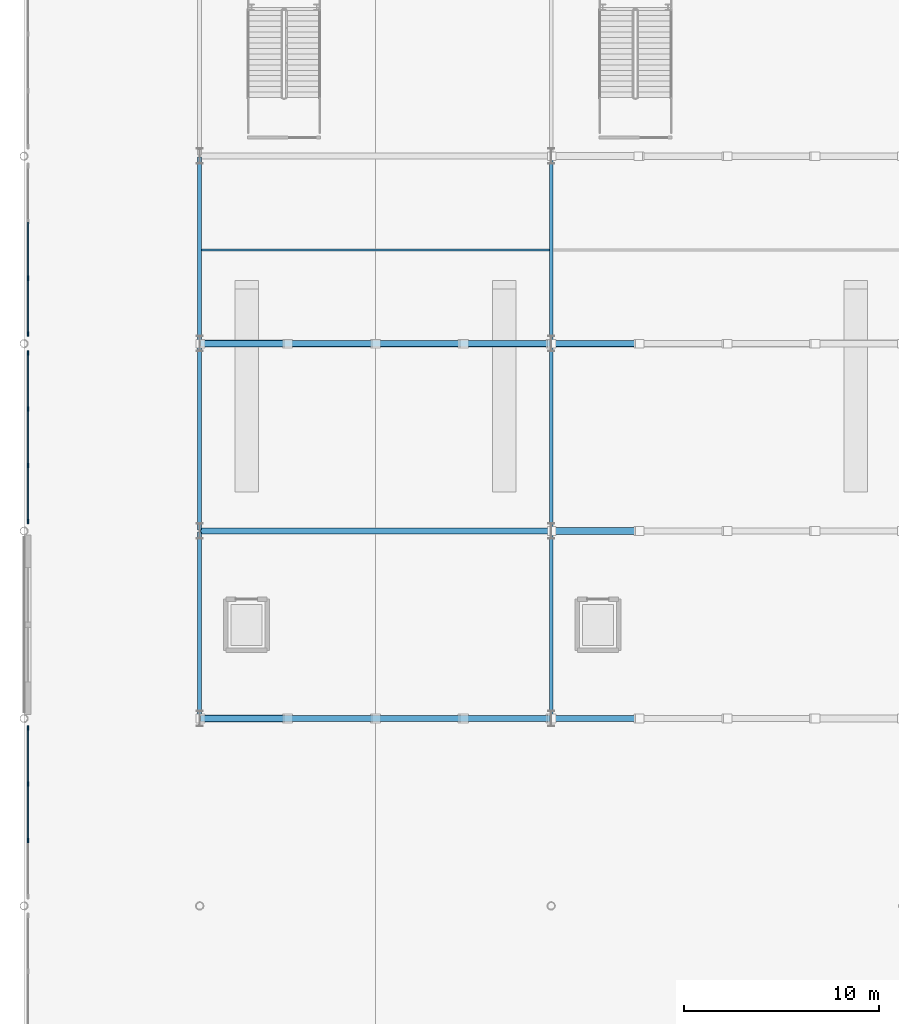
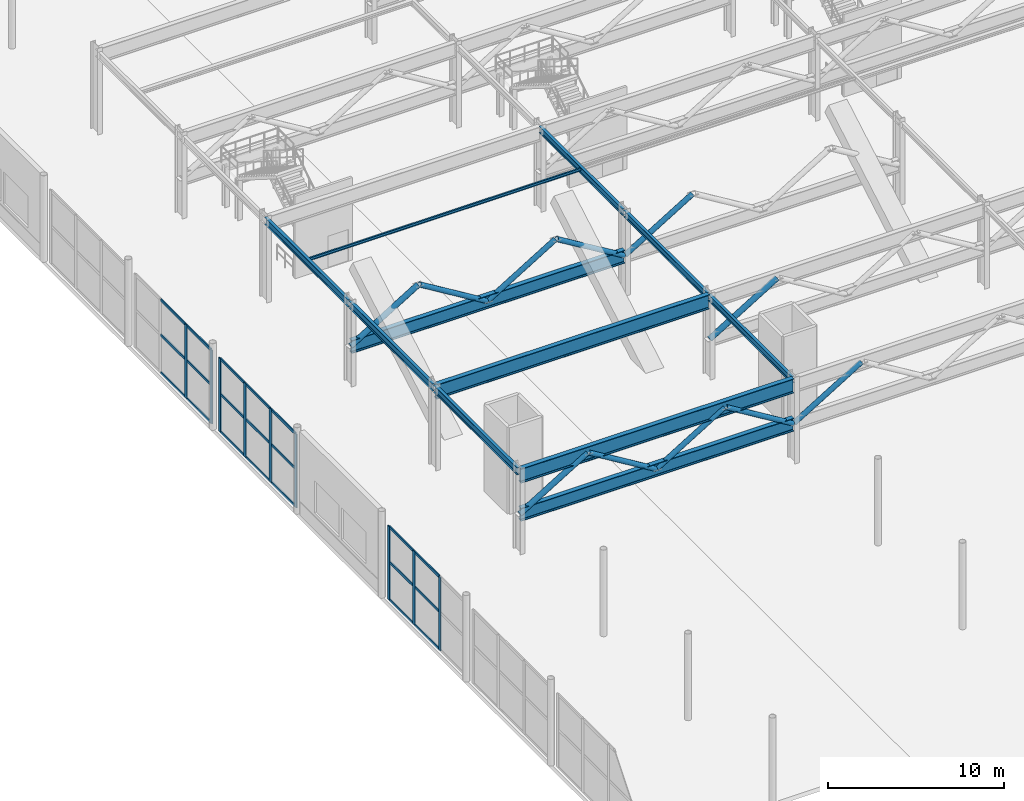
# One storey, part 28 of 113: 43 members, 9 beams, 3 elements without a shape of their own.
"""IFC4 building model written with IfcOpenShell, lengths in metres."""

from ifc_helpers import new_model, si_unit, direction, frame, origin, origin_2d, place, context, subcontext, project, spatial, rectangle, hollow_circle, i_section, extrude, material, layer, layer_set, material_profile, profile_set, type_object, element, aggregate, save


model = new_model("IFC4")

# Units and contexts
model_context = context("Model", 3, precision=1e-05, world=origin(), true_north=direction((0.0, 1.0)))
body_context = subcontext(model_context, "Body", "Model", "MODEL_VIEW")
ifc_project = project(units=[si_unit("LENGTHUNIT", "METRE"), si_unit("AREAUNIT", "SQUARE_METRE"), si_unit("VOLUMEUNIT", "CUBIC_METRE"), si_unit("PLANEANGLEUNIT", "RADIAN"), si_unit("MASSUNIT", "GRAM", prefix="KILO")], contexts=[model_context])

# Site, building, storey
site_placement = place(None, origin())
site = spatial("IfcSite", under=ifc_project, at=site_placement, CompositionType="ELEMENT")
building_placement = place(site_placement, origin())
building = spatial("IfcBuilding", under=site, at=building_placement, Name="Myrtia Square Station", CompositionType="ELEMENT")
storey_placement = place(building_placement, origin())
storey = spatial("IfcBuildingStorey", under=building, at=storey_placement, Name="L00", CompositionType="ELEMENT", Elevation=0.0)

# Beams
ifc_material_1 = material(Name="Steel S355", Category="steel")
ifc_material_profile_1 = material_profile(ifc_material_1, i_section(OverallWidth=0.18994140625, OverallDepth=0.449951171875, WebThickness=0.009521484375, FlangeThickness=0.0146484375, FilletRadius=0.02099609375, at=origin_2d()), Name="IPE 450")
ifc_profile_set_1 = profile_set([ifc_material_profile_1], Name="Steel S355")
beam_type_1 = type_object("IfcBeamType", Name="BM-IPE450", PredefinedType="BEAM", material=ifc_profile_set_1)
for number, where, z_axis, x_axis, name in (
    (1, (27.0, 38.449951171875, 5.514892578125), (0.0, 1.0, 0.0), (-1.0, 0.0, 0.0), "Structural girder BMY-L00-0262"),
    (2, (27.0, 48.050048828125, 5.514892578125), (0.0, 1.0, 0.0), (-1.0, 0.0, 0.0), "Structural girder BMY-L00-0263"),
    (3, (27.0, 57.64990234375, 5.514892578125), (0.0, 1.0, 0.0), (-1.0, 0.0, 0.0), "Structural girder BMY-L00-0264"),
):
    element("IfcBeam", number, at=place(storey_placement, frame(where, z_axis=z_axis, x_axis=x_axis)), inside=storey, type_object=beam_type_1, Name=name, PredefinedType="BEAM", context=body_context, shape_type="SweptSolid", body=[
        extrude(i_section(OverallWidth=0.18994140625, OverallDepth=0.449951171875, WebThickness=0.009521484375, FlangeThickness=0.0146484375, FilletRadius=0.02099609375, at=origin_2d()), origin(), (0.0, 0.0, 1.0), 9.5),
    ])
ifc_material_profile_2 = material_profile(ifc_material_1, i_section(OverallWidth=0.199951171875, OverallDepth=0.5, WebThickness=0.01025390625, FlangeThickness=0.01611328125, FilletRadius=0.02099609375, at=origin_2d()), Name="IPE 500")
ifc_profile_set_2 = profile_set([ifc_material_profile_2], Name="Steel S355")
beam_type_2 = type_object("IfcBeamType", Name="BM-IPE500", PredefinedType="BEAM", material=ifc_profile_set_2)
for number, where, z_axis, x_axis, name in (
    (4, (9.0, 38.449951171875, 5.489990234375), (0.0, 1.0, 0.0), (-1.0, 0.0, 0.0), "Structural girder BMY-L00-0257"),
    (5, (9.0, 48.050048828125, 5.489990234375), (0.0, 1.0, 0.0), (-1.0, 0.0, 0.0), "Structural girder BMY-L00-0258"),
    (6, (9.0, 57.64990234375, 5.489990234375), (0.0, 1.0, 0.0), (-1.0, 0.0, 0.0), "Structural girder BMY-L00-0259"),
):
    element("IfcBeam", number, at=place(storey_placement, frame(where, z_axis=z_axis, x_axis=x_axis)), inside=storey, type_object=beam_type_2, Name=name, PredefinedType="BEAM", context=body_context, shape_type="SweptSolid", body=[
        extrude(i_section(OverallWidth=0.199951171875, OverallDepth=0.5, WebThickness=0.01025390625, FlangeThickness=0.01611328125, FilletRadius=0.02099609375, at=origin_2d()), origin(), (0.0, 0.0, 1.0), 9.5),
    ])

# Members
ifc_material_profile_3 = material_profile(ifc_material_1, hollow_circle(Radius=0.161865234375, WallThickness=0.01611328125, at=origin_2d()), Name="CHS 323.9x16")
ifc_profile_set_3 = profile_set([ifc_material_profile_3], Name="Steel S355")
member_type_1 = type_object("IfcMemberType", Name="BRC-CHS323", PredefinedType="BRACE", material=ifc_profile_set_3)
for number, where, z_axis, x_axis, name in (
    (7, (13.5400390625, 38.39990234375, 5.239990234375), (0.854236821944, 0.0, -0.519884075573), (0.0, 1.0, 0.0), "Over-track transfer truss 01 diagonal 2"),
    (8, (18.0400390625, 38.39990234375, 2.550048828125), (0.854236821944, 0.0, 0.519884075573), (0.0, 1.0, 0.0), "Over-track transfer truss 01 diagonal 3"),
    (9, (22.5400390625, 38.39990234375, 5.239990234375), (0.854236821944, 0.0, -0.519884075573), (0.0, 1.0, 0.0), "Over-track transfer truss 01 diagonal 4"),
    (10, (27.0400390625, 38.39990234375, 2.550048828125), (0.854236821944, 0.0, 0.519884075573), (0.0, 1.0, 0.0), "Over-track transfer truss 01 diagonal 5"),
    (11, (13.5400390625, 57.60009765625, 5.239990234375), (0.854236821944, 0.0, -0.519884075573), (0.0, 1.0, 0.0), "Over-track transfer truss 03 diagonal 2"),
    (12, (18.0400390625, 57.60009765625, 2.550048828125), (0.854236821944, 0.0, 0.519884075573), (0.0, 1.0, 0.0), "Over-track transfer truss 03 diagonal 3"),
    (13, (22.5400390625, 57.60009765625, 5.239990234375), (0.854236821944, 0.0, -0.519884075573), (0.0, 1.0, 0.0), "Over-track transfer truss 03 diagonal 4"),
    (14, (27.0400390625, 57.60009765625, 2.550048828125), (0.854236821944, 0.0, 0.519884075573), (0.0, 1.0, 0.0), "Over-track transfer truss 03 diagonal 5"),
):
    element("IfcMember", number, at=place(storey_placement, frame(where, z_axis=z_axis, x_axis=x_axis)), inside=storey, type_object=member_type_1, Name=name, PredefinedType="BRACE", context=body_context, shape_type="SweptSolid", body=[
        extrude(hollow_circle(Radius=0.161865234375, WallThickness=0.01611328125, at=origin_2d()), origin(), (0.0, 0.0, 1.0), 5.174072265625),
    ])
ifc_material_profile_4 = material_profile(ifc_material_1, hollow_circle(Radius=0.177734375, WallThickness=0.02001953125, at=origin_2d()), Name="CHS 355.6x20")
ifc_profile_set_4 = profile_set([ifc_material_profile_4], Name="Steel S355")
member_type_2 = type_object("IfcMemberType", Name="BRC-CHS355", PredefinedType="BRACE", material=ifc_profile_set_4)
for number, where, z_axis, x_axis, name in (
    (15, (9.0400390625, 38.39990234375, 2.550048828125), (0.854236821944, 0.0, 0.519884075573), (0.0, 1.0, 0.0), "Over-track transfer truss 01 diagonal 1"),
    (16, (27.0400390625, 48.0, 2.550048828125), (0.854236821944, 0.0, 0.519884075573), (0.0, 1.0, 0.0), "Over-track transfer truss 02 diagonal 1"),
    (17, (9.0400390625, 57.60009765625, 2.550048828125), (0.854236821944, 0.0, 0.519884075573), (0.0, 1.0, 0.0), "Over-track transfer truss 03 diagonal 1"),
):
    element("IfcMember", number, at=place(storey_placement, frame(where, z_axis=z_axis, x_axis=x_axis)), inside=storey, type_object=member_type_2, Name=name, PredefinedType="BRACE", context=body_context, shape_type="SweptSolid", body=[
        extrude(hollow_circle(Radius=0.177734375, WallThickness=0.02001953125, at=origin_2d()), origin(), (0.0, 0.0, 1.0), 5.174072265625),
    ])
ifc_material_profile_5 = material_profile(ifc_material_1, i_section(OverallWidth=0.300048828125, OverallDepth=0.89990234375, WebThickness=0.0185546875, FlangeThickness=0.034912109375, FilletRadius=0.030029296875, at=origin_2d()), Name="HEB 900")
ifc_profile_set_5 = profile_set([ifc_material_profile_5], Name="Steel S355")
member_type_3 = type_object("IfcMemberType", Name="CHD-HEB900", PredefinedType="CHORD", material=ifc_profile_set_5)
for number, where, z_axis, x_axis, name in (
    (18, (9.050048828125, 38.39990234375, 2.550048828125), (1.0, 0.0, 0.0), (0.0, 1.0, 0.0), "Over-track transfer truss 01 bottom chord 1"),
    (19, (9.050048828125, 57.60009765625, 2.550048828125), (1.0, 0.0, 0.0), (0.0, 1.0, 0.0), "Over-track transfer truss 03 bottom chord 1"),
):
    element("IfcMember", number, at=place(storey_placement, frame(where, z_axis=z_axis, x_axis=x_axis)), inside=storey, type_object=member_type_3, Name=name, PredefinedType="CHORD", context=body_context, shape_type="SweptSolid", body=[
        extrude(i_section(OverallWidth=0.300048828125, OverallDepth=0.89990234375, WebThickness=0.0185546875, FlangeThickness=0.034912109375, FilletRadius=0.030029296875, at=origin_2d()), origin(), (0.0, 0.0, 1.0), 17.89990234375),
    ])

# Curtain wall, members
ifc_material_2 = material(Name="Dark bronze anodised aluminium", Category="aluminium")
ifc_layer = layer(ifc_material_2, 0.159912109375, Name="Dark bronze anodised aluminium")
ifc_layer_set = layer_set([ifc_layer], Name="Dark bronze anodised aluminium")
curtain_wall_type = type_object("IfcCurtainWallType", Name="CW-TYPE-22-870x510", PredefinedType="USERDEFINED", material=ifc_layer_set)
curtain_wall_1_placement = place(storey_placement, origin())
curtain_wall_1 = element("IfcCurtainWall", 20, at=curtain_wall_1_placement, inside=storey, type_object=curtain_wall_type, Name="Concourse curtain wall CW-L00-075", ObjectType="CONCOURSE CURTAIN WALL", PredefinedType="USERDEFINED")
ifc_material_profile_6 = material_profile(ifc_material_2, rectangle(XDim=0.074951171875, YDim=0.239990234375, at=origin_2d()), Name="ALU-M 75x240")
ifc_profile_set_6 = profile_set([ifc_material_profile_6], Name="Dark bronze anodised aluminium")
member_type_4 = type_object("IfcMemberType", Name="CWM-75x240", PredefinedType="MULLION", material=ifc_profile_set_6)
member_1_placement = place(storey_placement, frame((0.199951171875, 32.14990234375, 0.0), z_axis=(0.0, 0.0, 1.0), x_axis=(-1.0, 0.0, 0.0)))
member_1 = element("IfcMember", 21, at=member_1_placement, type_object=member_type_4, Name="CW-075 mullion 2", PredefinedType="MULLION", context=body_context, shape_type="SweptSolid", body=[
    extrude(rectangle(XDim=0.074951171875, YDim=0.239990234375, at=origin_2d()), origin(), (0.0, 0.0, 1.0), 5.10009765625),
])
member_2_placement = place(storey_placement, frame((0.199951171875, 35.050048828125, 0.0), z_axis=(0.0, 0.0, 1.0), x_axis=(-1.0, 0.0, 0.0)))
member_2 = element("IfcMember", 22, at=member_2_placement, type_object=member_type_4, Name="CW-075 mullion 3", PredefinedType="MULLION", context=body_context, shape_type="SweptSolid", body=[
    extrude(rectangle(XDim=0.074951171875, YDim=0.239990234375, at=origin_2d()), origin(), (0.0, 0.0, 1.0), 5.10009765625),
])
member_3_placement = place(storey_placement, frame((0.199951171875, 37.91259765625, 0.0), z_axis=(0.0, 0.0, 1.0), x_axis=(-1.0, 0.0, 0.0)))
member_3 = element("IfcMember", 23, at=member_3_placement, type_object=member_type_4, Name="CW-075 mullion 4", PredefinedType="MULLION", context=body_context, shape_type="SweptSolid", body=[
    extrude(rectangle(XDim=0.074951171875, YDim=0.239990234375, at=origin_2d()), origin(), (0.0, 0.0, 1.0), 5.10009765625),
])

curtain_wall_2_placement = place(storey_placement, origin())
curtain_wall_2 = element("IfcCurtainWall", 24, at=curtain_wall_2_placement, inside=storey, type_object=curtain_wall_type, Name="Concourse curtain wall CW-L00-076", ObjectType="CONCOURSE CURTAIN WALL", PredefinedType="USERDEFINED")
member_4_placement = place(storey_placement, frame((0.199951171875, 48.487548828125, 0.0), z_axis=(0.0, 0.0, 1.0), x_axis=(-1.0, 0.0, 0.0)))
member_4 = element("IfcMember", 25, at=member_4_placement, type_object=member_type_4, Name="CW-076 mullion 1", PredefinedType="MULLION", context=body_context, shape_type="SweptSolid", body=[
    extrude(rectangle(XDim=0.074951171875, YDim=0.239990234375, at=origin_2d()), origin(), (0.0, 0.0, 1.0), 5.10009765625),
])
member_5_placement = place(storey_placement, frame((0.199951171875, 51.35009765625, 0.0), z_axis=(0.0, 0.0, 1.0), x_axis=(-1.0, 0.0, 0.0)))
member_5 = element("IfcMember", 26, at=member_5_placement, type_object=member_type_4, Name="CW-076 mullion 2", PredefinedType="MULLION", context=body_context, shape_type="SweptSolid", body=[
    extrude(rectangle(XDim=0.074951171875, YDim=0.239990234375, at=origin_2d()), origin(), (0.0, 0.0, 1.0), 5.10009765625),
])
member_6_placement = place(storey_placement, frame((0.199951171875, 54.25, 0.0), z_axis=(0.0, 0.0, 1.0), x_axis=(-1.0, 0.0, 0.0)))
member_6 = element("IfcMember", 27, at=member_6_placement, type_object=member_type_4, Name="CW-076 mullion 3", PredefinedType="MULLION", context=body_context, shape_type="SweptSolid", body=[
    extrude(rectangle(XDim=0.074951171875, YDim=0.239990234375, at=origin_2d()), origin(), (0.0, 0.0, 1.0), 5.10009765625),
])
member_7_placement = place(storey_placement, frame((0.199951171875, 57.112548828125, 0.0), z_axis=(0.0, 0.0, 1.0), x_axis=(-1.0, 0.0, 0.0)))
member_7 = element("IfcMember", 28, at=member_7_placement, type_object=member_type_4, Name="CW-076 mullion 4", PredefinedType="MULLION", context=body_context, shape_type="SweptSolid", body=[
    extrude(rectangle(XDim=0.074951171875, YDim=0.239990234375, at=origin_2d()), origin(), (0.0, 0.0, 1.0), 5.10009765625),
])

curtain_wall_3_placement = place(storey_placement, origin())
curtain_wall_3 = element("IfcCurtainWall", 29, at=curtain_wall_3_placement, inside=storey, type_object=curtain_wall_type, Name="Concourse curtain wall CW-L00-077", ObjectType="CONCOURSE CURTAIN WALL", PredefinedType="USERDEFINED")
member_8_placement = place(storey_placement, frame((0.199951171875, 58.08740234375, 0.0), z_axis=(0.0, 0.0, 1.0), x_axis=(-1.0, 0.0, 0.0)))
member_8 = element("IfcMember", 30, at=member_8_placement, type_object=member_type_4, Name="CW-077 mullion 1", PredefinedType="MULLION", context=body_context, shape_type="SweptSolid", body=[
    extrude(rectangle(XDim=0.074951171875, YDim=0.239990234375, at=origin_2d()), origin(), (0.0, 0.0, 1.0), 5.10009765625),
])
member_9_placement = place(storey_placement, frame((0.199951171875, 60.949951171875, 0.0), z_axis=(0.0, 0.0, 1.0), x_axis=(-1.0, 0.0, 0.0)))
member_9 = element("IfcMember", 31, at=member_9_placement, type_object=member_type_4, Name="CW-077 mullion 2", PredefinedType="MULLION", context=body_context, shape_type="SweptSolid", body=[
    extrude(rectangle(XDim=0.074951171875, YDim=0.239990234375, at=origin_2d()), origin(), (0.0, 0.0, 1.0), 5.10009765625),
])

# Member
ifc_material_profile_7 = material_profile(ifc_material_2, rectangle(XDim=0.074951171875, YDim=0.179931640625, at=origin_2d()), Name="ALU-T 75x180")
ifc_profile_set_7 = profile_set([ifc_material_profile_7], Name="Dark bronze anodised aluminium")
member_type_5 = type_object("IfcMemberType", Name="CWT-75x180", PredefinedType="USERDEFINED", material=ifc_profile_set_7)
member_10_placement = place(storey_placement, frame((0.199951171875, 32.1875, 0.03759765625), z_axis=(0.0, 1.0, 0.0), x_axis=(-1.0, 0.0, 0.0)))
member_10 = element("IfcMember", 32, at=member_10_placement, type_object=member_type_5, Name="CW-075 transom 2.1", ObjectType="TRANSOM", PredefinedType="USERDEFINED", context=body_context, shape_type="SweptSolid", body=[
    extrude(rectangle(XDim=0.074951171875, YDim=0.179931640625, at=origin_2d()), origin(), (0.0, 0.0, 1.0), 2.824951171875),
])

member_11_placement = place(storey_placement, frame((0.199951171875, 32.1875, 2.652099609375), z_axis=(0.0, 1.0, 0.0), x_axis=(-1.0, 0.0, 0.0)))
member_11 = element("IfcMember", 33, at=member_11_placement, type_object=member_type_5, Name="CW-075 transom 2.2", ObjectType="TRANSOM", PredefinedType="USERDEFINED", context=body_context, shape_type="SweptSolid", body=[
    extrude(rectangle(XDim=0.074951171875, YDim=0.179931640625, at=origin_2d()), origin(), (0.0, 0.0, 1.0), 2.824951171875),
])

member_12_placement = place(storey_placement, frame((0.199951171875, 32.1875, 5.0625), z_axis=(0.0, 1.0, 0.0), x_axis=(-1.0, 0.0, 0.0)))
member_12 = element("IfcMember", 34, at=member_12_placement, type_object=member_type_5, Name="CW-075 transom 2.3", ObjectType="TRANSOM", PredefinedType="USERDEFINED", context=body_context, shape_type="SweptSolid", body=[
    extrude(rectangle(XDim=0.074951171875, YDim=0.179931640625, at=origin_2d()), origin(), (0.0, 0.0, 1.0), 2.824951171875),
])

member_13_placement = place(storey_placement, frame((0.199951171875, 35.08740234375, 0.03759765625), z_axis=(0.0, 1.0, 0.0), x_axis=(-1.0, 0.0, 0.0)))
member_13 = element("IfcMember", 35, at=member_13_placement, type_object=member_type_5, Name="CW-075 transom 3.1", ObjectType="TRANSOM", PredefinedType="USERDEFINED", context=body_context, shape_type="SweptSolid", body=[
    extrude(rectangle(XDim=0.074951171875, YDim=0.179931640625, at=origin_2d()), origin(), (0.0, 0.0, 1.0), 2.78759765625),
])

member_14_placement = place(storey_placement, frame((0.199951171875, 35.08740234375, 2.652099609375), z_axis=(0.0, 1.0, 0.0), x_axis=(-1.0, 0.0, 0.0)))
member_14 = element("IfcMember", 36, at=member_14_placement, type_object=member_type_5, Name="CW-075 transom 3.2", ObjectType="TRANSOM", PredefinedType="USERDEFINED", context=body_context, shape_type="SweptSolid", body=[
    extrude(rectangle(XDim=0.074951171875, YDim=0.179931640625, at=origin_2d()), origin(), (0.0, 0.0, 1.0), 2.78759765625),
])

member_15_placement = place(storey_placement, frame((0.199951171875, 35.08740234375, 5.0625), z_axis=(0.0, 1.0, 0.0), x_axis=(-1.0, 0.0, 0.0)))
member_15 = element("IfcMember", 37, at=member_15_placement, type_object=member_type_5, Name="CW-075 transom 3.3", ObjectType="TRANSOM", PredefinedType="USERDEFINED", context=body_context, shape_type="SweptSolid", body=[
    extrude(rectangle(XDim=0.074951171875, YDim=0.179931640625, at=origin_2d()), origin(), (0.0, 0.0, 1.0), 2.78759765625),
])

aggregate(curtain_wall_1, [member_1, member_2, member_3, member_10, member_11, member_12, member_13, member_14, member_15])

member_16_placement = place(storey_placement, frame((0.199951171875, 48.52490234375, 0.03759765625), z_axis=(0.0, 1.0, 0.0), x_axis=(-1.0, 0.0, 0.0)))
member_16 = element("IfcMember", 38, at=member_16_placement, type_object=member_type_5, Name="CW-076 transom 1.1", ObjectType="TRANSOM", PredefinedType="USERDEFINED", context=body_context, shape_type="SweptSolid", body=[
    extrude(rectangle(XDim=0.074951171875, YDim=0.179931640625, at=origin_2d()), origin(), (0.0, 0.0, 1.0), 2.78759765625),
])

member_17_placement = place(storey_placement, frame((0.199951171875, 48.52490234375, 2.652099609375), z_axis=(0.0, 1.0, 0.0), x_axis=(-1.0, 0.0, 0.0)))
member_17 = element("IfcMember", 39, at=member_17_placement, type_object=member_type_5, Name="CW-076 transom 1.2", ObjectType="TRANSOM", PredefinedType="USERDEFINED", context=body_context, shape_type="SweptSolid", body=[
    extrude(rectangle(XDim=0.074951171875, YDim=0.179931640625, at=origin_2d()), origin(), (0.0, 0.0, 1.0), 2.78759765625),
])

member_18_placement = place(storey_placement, frame((0.199951171875, 48.52490234375, 5.0625), z_axis=(0.0, 1.0, 0.0), x_axis=(-1.0, 0.0, 0.0)))
member_18 = element("IfcMember", 40, at=member_18_placement, type_object=member_type_5, Name="CW-076 transom 1.3", ObjectType="TRANSOM", PredefinedType="USERDEFINED", context=body_context, shape_type="SweptSolid", body=[
    extrude(rectangle(XDim=0.074951171875, YDim=0.179931640625, at=origin_2d()), origin(), (0.0, 0.0, 1.0), 2.78759765625),
])

member_19_placement = place(storey_placement, frame((0.199951171875, 51.387451171875, 0.03759765625), z_axis=(0.0, 1.0, 0.0), x_axis=(-1.0, 0.0, 0.0)))
member_19 = element("IfcMember", 41, at=member_19_placement, type_object=member_type_5, Name="CW-076 transom 2.1", ObjectType="TRANSOM", PredefinedType="USERDEFINED", context=body_context, shape_type="SweptSolid", body=[
    extrude(rectangle(XDim=0.074951171875, YDim=0.179931640625, at=origin_2d()), origin(), (0.0, 0.0, 1.0), 2.824951171875),
])

member_20_placement = place(storey_placement, frame((0.199951171875, 51.387451171875, 2.652099609375), z_axis=(0.0, 1.0, 0.0), x_axis=(-1.0, 0.0, 0.0)))
member_20 = element("IfcMember", 42, at=member_20_placement, type_object=member_type_5, Name="CW-076 transom 2.2", ObjectType="TRANSOM", PredefinedType="USERDEFINED", context=body_context, shape_type="SweptSolid", body=[
    extrude(rectangle(XDim=0.074951171875, YDim=0.179931640625, at=origin_2d()), origin(), (0.0, 0.0, 1.0), 2.824951171875),
])

member_21_placement = place(storey_placement, frame((0.199951171875, 51.387451171875, 5.0625), z_axis=(0.0, 1.0, 0.0), x_axis=(-1.0, 0.0, 0.0)))
member_21 = element("IfcMember", 43, at=member_21_placement, type_object=member_type_5, Name="CW-076 transom 2.3", ObjectType="TRANSOM", PredefinedType="USERDEFINED", context=body_context, shape_type="SweptSolid", body=[
    extrude(rectangle(XDim=0.074951171875, YDim=0.179931640625, at=origin_2d()), origin(), (0.0, 0.0, 1.0), 2.824951171875),
])

member_22_placement = place(storey_placement, frame((0.199951171875, 54.28759765625, 0.03759765625), z_axis=(0.0, 1.0, 0.0), x_axis=(-1.0, 0.0, 0.0)))
member_22 = element("IfcMember", 44, at=member_22_placement, type_object=member_type_5, Name="CW-076 transom 3.1", ObjectType="TRANSOM", PredefinedType="USERDEFINED", context=body_context, shape_type="SweptSolid", body=[
    extrude(rectangle(XDim=0.074951171875, YDim=0.179931640625, at=origin_2d()), origin(), (0.0, 0.0, 1.0), 2.787353515625),
])

member_23_placement = place(storey_placement, frame((0.199951171875, 54.28759765625, 2.652099609375), z_axis=(0.0, 1.0, 0.0), x_axis=(-1.0, 0.0, 0.0)))
member_23 = element("IfcMember", 45, at=member_23_placement, type_object=member_type_5, Name="CW-076 transom 3.2", ObjectType="TRANSOM", PredefinedType="USERDEFINED", context=body_context, shape_type="SweptSolid", body=[
    extrude(rectangle(XDim=0.074951171875, YDim=0.179931640625, at=origin_2d()), origin(), (0.0, 0.0, 1.0), 2.787353515625),
])

member_24_placement = place(storey_placement, frame((0.199951171875, 54.28759765625, 5.0625), z_axis=(0.0, 1.0, 0.0), x_axis=(-1.0, 0.0, 0.0)))
member_24 = element("IfcMember", 46, at=member_24_placement, type_object=member_type_5, Name="CW-076 transom 3.3", ObjectType="TRANSOM", PredefinedType="USERDEFINED", context=body_context, shape_type="SweptSolid", body=[
    extrude(rectangle(XDim=0.074951171875, YDim=0.179931640625, at=origin_2d()), origin(), (0.0, 0.0, 1.0), 2.787353515625),
])

aggregate(curtain_wall_2, [member_4, member_5, member_6, member_7, member_16, member_17, member_18, member_19, member_20, member_21, member_22, member_23, member_24])

member_25_placement = place(storey_placement, frame((0.199951171875, 58.125, 0.03759765625), z_axis=(0.0, 1.0, 0.0), x_axis=(-1.0, 0.0, 0.0)))
member_25 = element("IfcMember", 47, at=member_25_placement, type_object=member_type_5, Name="CW-077 transom 1.1", ObjectType="TRANSOM", PredefinedType="USERDEFINED", context=body_context, shape_type="SweptSolid", body=[
    extrude(rectangle(XDim=0.074951171875, YDim=0.179931640625, at=origin_2d()), origin(), (0.0, 0.0, 1.0), 2.78759765625),
])

member_26_placement = place(storey_placement, frame((0.199951171875, 58.125, 2.652099609375), z_axis=(0.0, 1.0, 0.0), x_axis=(-1.0, 0.0, 0.0)))
member_26 = element("IfcMember", 48, at=member_26_placement, type_object=member_type_5, Name="CW-077 transom 1.2", ObjectType="TRANSOM", PredefinedType="USERDEFINED", context=body_context, shape_type="SweptSolid", body=[
    extrude(rectangle(XDim=0.074951171875, YDim=0.179931640625, at=origin_2d()), origin(), (0.0, 0.0, 1.0), 2.78759765625),
])

member_27_placement = place(storey_placement, frame((0.199951171875, 58.125, 5.0625), z_axis=(0.0, 1.0, 0.0), x_axis=(-1.0, 0.0, 0.0)))
member_27 = element("IfcMember", 49, at=member_27_placement, type_object=member_type_5, Name="CW-077 transom 1.3", ObjectType="TRANSOM", PredefinedType="USERDEFINED", context=body_context, shape_type="SweptSolid", body=[
    extrude(rectangle(XDim=0.074951171875, YDim=0.179931640625, at=origin_2d()), origin(), (0.0, 0.0, 1.0), 2.78759765625),
])

member_28_placement = place(storey_placement, frame((0.199951171875, 60.987548828125, 0.03759765625), z_axis=(0.0, 1.0, 0.0), x_axis=(-1.0, 0.0, 0.0)))
member_28 = element("IfcMember", 50, at=member_28_placement, type_object=member_type_5, Name="CW-077 transom 2.1", ObjectType="TRANSOM", PredefinedType="USERDEFINED", context=body_context, shape_type="SweptSolid", body=[
    extrude(rectangle(XDim=0.074951171875, YDim=0.179931640625, at=origin_2d()), origin(), (0.0, 0.0, 1.0), 2.824951171875),
])

member_29_placement = place(storey_placement, frame((0.199951171875, 60.987548828125, 2.652099609375), z_axis=(0.0, 1.0, 0.0), x_axis=(-1.0, 0.0, 0.0)))
member_29 = element("IfcMember", 51, at=member_29_placement, type_object=member_type_5, Name="CW-077 transom 2.2", ObjectType="TRANSOM", PredefinedType="USERDEFINED", context=body_context, shape_type="SweptSolid", body=[
    extrude(rectangle(XDim=0.074951171875, YDim=0.179931640625, at=origin_2d()), origin(), (0.0, 0.0, 1.0), 2.824951171875),
])

member_30_placement = place(storey_placement, frame((0.199951171875, 60.987548828125, 5.0625), z_axis=(0.0, 1.0, 0.0), x_axis=(-1.0, 0.0, 0.0)))
member_30 = element("IfcMember", 52, at=member_30_placement, type_object=member_type_5, Name="CW-077 transom 2.3", ObjectType="TRANSOM", PredefinedType="USERDEFINED", context=body_context, shape_type="SweptSolid", body=[
    extrude(rectangle(XDim=0.074951171875, YDim=0.179931640625, at=origin_2d()), origin(), (0.0, 0.0, 1.0), 2.824951171875),
])

aggregate(curtain_wall_3, [member_8, member_9, member_25, member_26, member_27, member_28, member_29, member_30])

# Beams
ifc_material_profile_8 = material_profile(ifc_material_1, i_section(OverallWidth=0.10009765625, OverallDepth=0.199951171875, WebThickness=0.005615234375, FlangeThickness=0.008544921875, FilletRadius=0.011962890625, at=origin_2d()), Name="IPE 200")
ifc_profile_set_8 = profile_set([ifc_material_profile_8], Name="Steel S355")
beam_type_3 = type_object("IfcBeamType", Name="JST-IPE200", PredefinedType="JOIST", material=ifc_profile_set_8)
beam_placement = place(storey_placement, frame((9.10009765625, 62.39990234375, 5.639892578125), z_axis=(1.0, 0.0, 0.0), x_axis=(0.0, 1.0, 0.0)))
element("IfcBeam", 53, at=beam_placement, inside=storey, type_object=beam_type_3, Name="Composite floor joist L00-0001", PredefinedType="JOIST", context=body_context, shape_type="SweptSolid", body=[
    extrude(i_section(OverallWidth=0.10009765625, OverallDepth=0.199951171875, WebThickness=0.005615234375, FlangeThickness=0.008544921875, FilletRadius=0.011962890625, at=origin_2d()), origin(), (0.0, 0.0, 1.0), 17.804931640625),
])
ifc_material_profile_9 = material_profile(ifc_material_1, i_section(OverallWidth=0.300048828125, OverallDepth=1.0, WebThickness=0.01904296875, FlangeThickness=0.035888671875, FilletRadius=0.030029296875, at=origin_2d()), Name="HEB 1000")
ifc_profile_set_9 = profile_set([ifc_material_profile_9], Name="Steel S355")
beam_type_4 = type_object("IfcBeamType", Name="TG-HEB1000", PredefinedType="USERDEFINED", material=ifc_profile_set_9)
for number, where, z_axis, x_axis, name in (
    (54, (9.050048828125, 38.39990234375, 5.239990234375), (1.0, 0.0, 0.0), (0.0, 1.0, 0.0), "Structural girder TG-L00-0065"),
    (55, (9.050048828125, 48.0, 5.239990234375), (1.0, 0.0, 0.0), (0.0, 1.0, 0.0), "Structural girder TG-L00-0068"),
):
    element("IfcBeam", number, at=place(storey_placement, frame(where, z_axis=z_axis, x_axis=x_axis)), inside=storey, type_object=beam_type_4, Name=name, ObjectType="TRANSFER GIRDER", PredefinedType="USERDEFINED", context=body_context, shape_type="SweptSolid", body=[
        extrude(i_section(OverallWidth=0.300048828125, OverallDepth=1.0, WebThickness=0.01904296875, FlangeThickness=0.035888671875, FilletRadius=0.030029296875, at=origin_2d()), origin(), (0.0, 0.0, 1.0), 17.89990234375),
    ])

save(model, "model.ifc")
